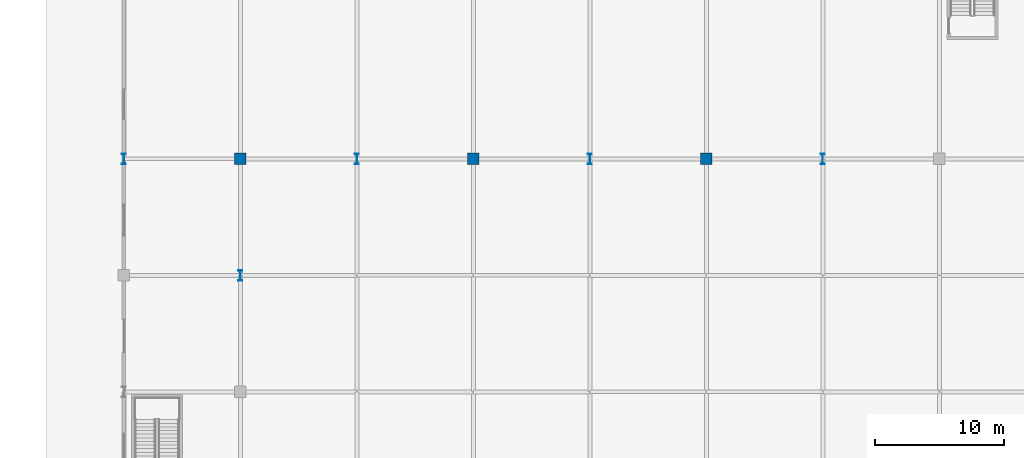
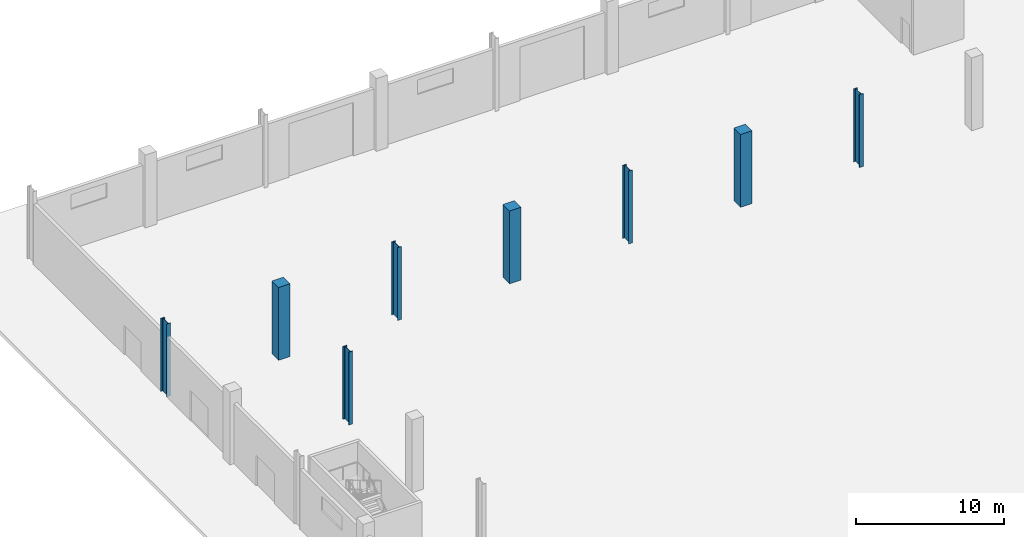
# One storey, part 6 of 58: 8 columns.
"""IFC4 building model written with IfcOpenShell, lengths in metres."""

from ifc_helpers import new_model, si_unit, direction, frame, origin, origin_2d, place, context, subcontext, project, spatial, rectangle, i_section, extrude, material, material_profile, profile_set, type_object, element, save


model = new_model("IFC4")

# Units and contexts
model_context = context("Model", 3, precision=1e-05, world=origin(), true_north=direction((0.0, 1.0)))
body_context = subcontext(model_context, "Body", "Model", "MODEL_VIEW")
ifc_project = project(units=[si_unit("LENGTHUNIT", "METRE"), si_unit("AREAUNIT", "SQUARE_METRE"), si_unit("VOLUMEUNIT", "CUBIC_METRE"), si_unit("PLANEANGLEUNIT", "RADIAN"), si_unit("MASSUNIT", "GRAM", prefix="KILO")], contexts=[model_context])

# Site, building, storey
site_placement = place(None, origin())
site = spatial("IfcSite", under=ifc_project, at=site_placement, CompositionType="ELEMENT")
building_placement = place(site_placement, origin())
building = spatial("IfcBuilding", under=site, at=building_placement, Name="Barlavento Convention Centre", CompositionType="ELEMENT")
storey_placement = place(building_placement, origin())
storey = spatial("IfcBuildingStorey", under=building, at=storey_placement, Name="L00", CompositionType="ELEMENT", Elevation=0.0)

# Columns
ifc_material_1 = material(Name="Steel S460", Category="steel")
ifc_material_profile_1 = material_profile(ifc_material_1, i_section(OverallWidth=0.302978515625, OverallDepth=0.81396484375, WebThickness=0.02099609375, FlangeThickness=0.0400390625, FilletRadius=0.030029296875, at=origin_2d()), Name="HEM 800")
ifc_profile_set_1 = profile_set([ifc_material_profile_1], Name="Steel S460")
column_type_1 = type_object("IfcColumnType", Name="STR-COL-HEM800", PredefinedType="COLUMN", material=ifc_profile_set_1)
for number, where, z_axis, x_axis, name in (
    (1, (0.0, 117.0, 0.0), (0.0, 0.0, 1.0), (1.0, 0.0, 0.0), "L00 column SC02"),
    (2, (9.0, 108.0, 0.0), (0.0, 0.0, 1.0), (1.0, 0.0, 0.0), "L00 column SC02"),
    (3, (18.0, 117.0, 0.0), (0.0, 0.0, 1.0), (1.0, 0.0, 0.0), "L00 column SC02"),
    (4, (36.0, 117.0, 0.0), (0.0, 0.0, 1.0), (1.0, 0.0, 0.0), "L00 column SC02"),
    (5, (54.0, 117.0, 0.0), (0.0, 0.0, 1.0), (1.0, 0.0, 0.0), "L00 column SC02"),
):
    element("IfcColumn", number, at=place(storey_placement, frame(where, z_axis=z_axis, x_axis=x_axis)), inside=storey, type_object=column_type_1, Name=name, PredefinedType="COLUMN", context=body_context, shape_type="SweptSolid", body=[
        extrude(i_section(OverallWidth=0.302978515625, OverallDepth=0.81396484375, WebThickness=0.02099609375, FlangeThickness=0.0400390625, FilletRadius=0.030029296875, at=origin_2d()), origin(), (0.0, 0.0, 1.0), 6.0),
    ])
ifc_material_2 = material(Name="Concrete C50/60", Category="concrete")
ifc_material_profile_2 = material_profile(ifc_material_2, rectangle(XDim=0.89990234375, YDim=0.89990234375, at=origin_2d()), Name="RC 900x900")
ifc_profile_set_2 = profile_set([ifc_material_profile_2], Name="Concrete C50/60")
column_type_2 = type_object("IfcColumnType", Name="STR-COL-RC900", PredefinedType="COLUMN", material=ifc_profile_set_2)
for number, where, z_axis, x_axis, name in (
    (6, (9.0, 117.0, 0.0), (0.0, 0.0, 1.0), (1.0, 0.0, 0.0), "L00 column CC04"),
    (7, (27.0, 117.0, 0.0), (0.0, 0.0, 1.0), (1.0, 0.0, 0.0), "L00 column CC04"),
    (8, (45.0, 117.0, 0.0), (0.0, 0.0, 1.0), (1.0, 0.0, 0.0), "L00 column CC04"),
):
    element("IfcColumn", number, at=place(storey_placement, frame(where, z_axis=z_axis, x_axis=x_axis)), inside=storey, type_object=column_type_2, Name=name, PredefinedType="COLUMN", context=body_context, shape_type="SweptSolid", body=[
        extrude(rectangle(XDim=0.89990234375, YDim=0.89990234375, at=origin_2d()), origin(), (0.0, 0.0, 1.0), 6.0),
    ])

save(model, "model.ifc")
